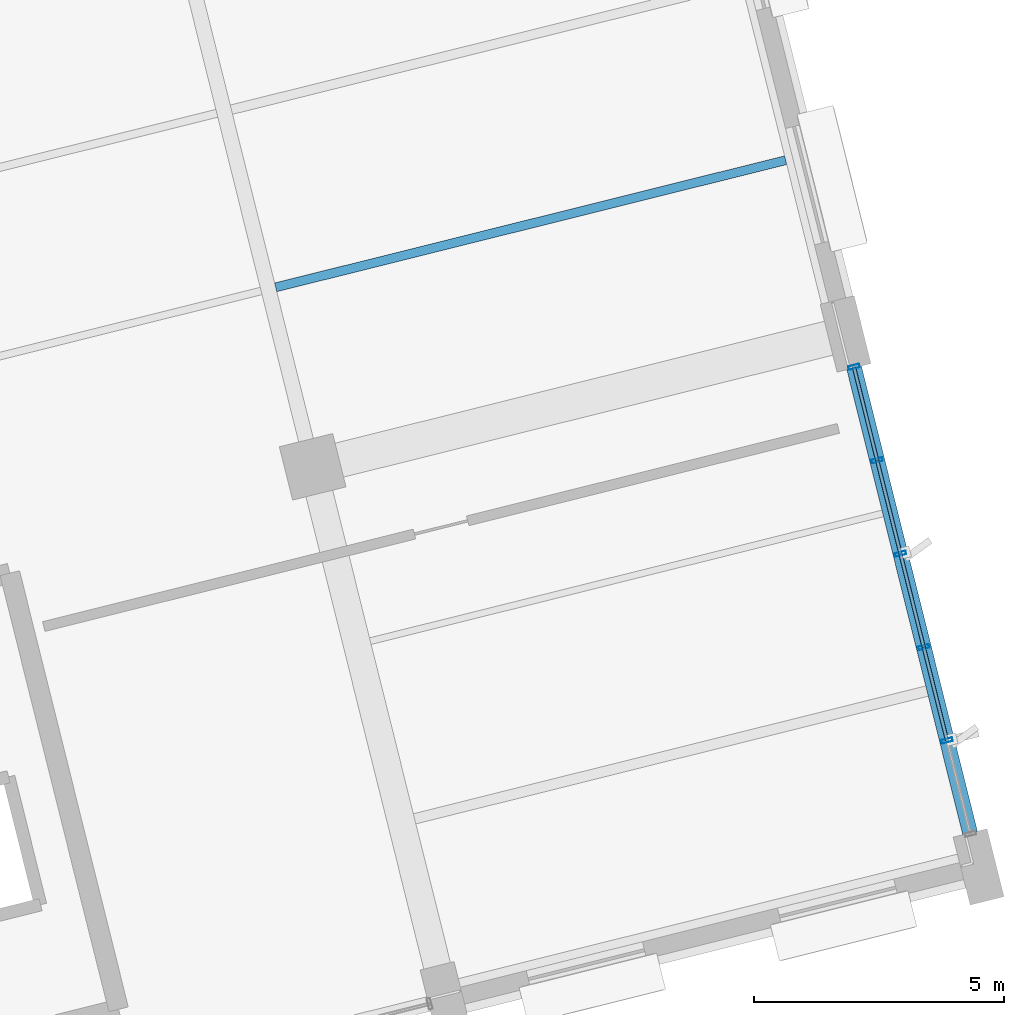
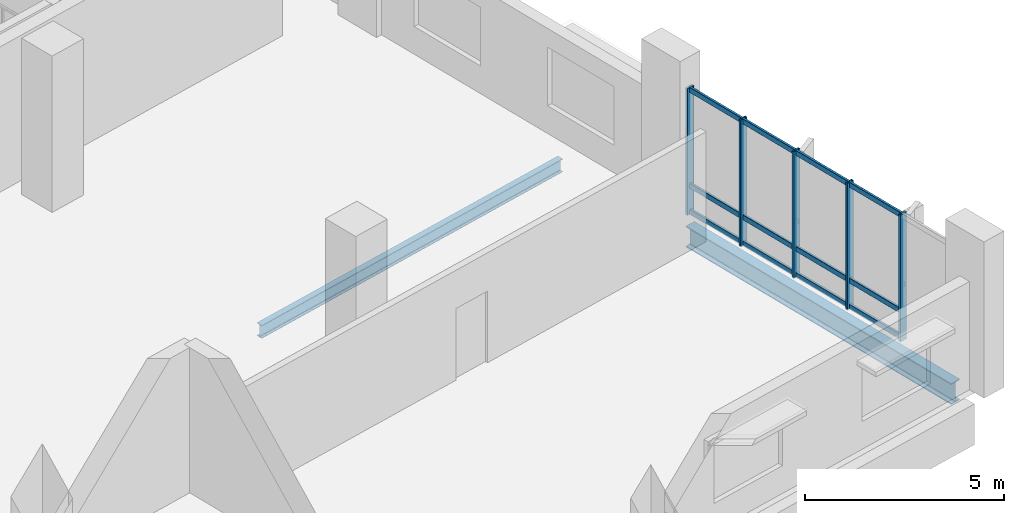
# One storey, part 79 of 137: 17 members, 2 beams, 1 element without a shape of its own.
"""IFC4 building model written with IfcOpenShell, lengths in metres."""

from ifc_helpers import new_model, si_unit, direction, frame, origin, origin_2d, place, context, subcontext, project, spatial, hollow_rectangle, i_section, extrude, material, layer, layer_set, material_profile, profile_set, type_object, element, aggregate, save


model = new_model("IFC4")

# Units and contexts
model_context = context("Model", 3, precision=1e-05, world=origin(), true_north=direction((0.0, 1.0)))
body_context = subcontext(model_context, "Body", "Model", "MODEL_VIEW")
ifc_project = project(units=[si_unit("LENGTHUNIT", "METRE"), si_unit("AREAUNIT", "SQUARE_METRE"), si_unit("VOLUMEUNIT", "CUBIC_METRE"), si_unit("PLANEANGLEUNIT", "RADIAN"), si_unit("MASSUNIT", "GRAM", prefix="KILO")], contexts=[model_context])

# Site, building, storey
site_placement = place(None, origin())
site = spatial("IfcSite", under=ifc_project, at=site_placement, CompositionType="ELEMENT")
building_placement = place(site_placement, origin())
building = spatial("IfcBuilding", under=site, at=building_placement, Name="Khorjan Park Terminus", CompositionType="ELEMENT")
storey_placement = place(building_placement, frame((0.0, 0.0, 11.4)))
storey = spatial("IfcBuildingStorey", under=building, at=storey_placement, Name="L02", CompositionType="ELEMENT", Elevation=11.4)

# Beams
ifc_material_1 = material(Name="Steel S355", Category="steel")
ifc_material_profile_1 = material_profile(ifc_material_1, i_section(OverallWidth=0.3, OverallDepth=0.64, WebThickness=0.0135, FlangeThickness=0.026, FilletRadius=0.027, at=origin_2d()), Name="HEA 650")
ifc_profile_set_1 = profile_set([ifc_material_profile_1], Name="Steel S355")
beam_type_1 = type_object("IfcBeamType", Name="BM-HEA650", PredefinedType="BEAM", material=ifc_profile_set_1)
beam_1_placement = place(storey_placement, frame((229.8714, 18.6412, -0.67), z_axis=(-0.241925915978, 0.970294723874, 0.0), x_axis=(-0.970294723874, -0.241925915978, 0.0)))
element("IfcBeam", 1, at=beam_1_placement, inside=storey, type_object=beam_type_1, Name="Primary skew-grid floor girder SB-A65 (L02)", PredefinedType="BEAM", context=body_context, shape_type="SweptSolid", body=[
    extrude(i_section(OverallWidth=0.3, OverallDepth=0.64, WebThickness=0.0135, FlangeThickness=0.026, FilletRadius=0.027, at=origin_2d()), origin(), (0.0, 0.0, 1.0), 9.61),
])
ifc_material_profile_2 = material_profile(ifc_material_1, i_section(OverallWidth=0.18, OverallDepth=0.4, WebThickness=0.0086, FlangeThickness=0.0135, FilletRadius=0.021, at=origin_2d()), Name="IPE 400")
ifc_profile_set_2 = profile_set([ifc_material_profile_2], Name="Steel S355")
beam_type_2 = type_object("IfcBeamType", Name="JS-IPE400", PredefinedType="JOIST", material=ifc_profile_set_2)
beam_2_placement = place(storey_placement, frame((215.9636, 29.573, -0.55), z_axis=(0.970294327804, 0.241927504493, 0.0), x_axis=(-0.241927504493, 0.970294327804, 0.0)))
element("IfcBeam", 2, at=beam_2_placement, inside=storey, type_object=beam_type_2, Name="Secondary composite floor joist SJ-40 (L02)", PredefinedType="JOIST", context=body_context, shape_type="SweptSolid", body=[
    extrude(i_section(OverallWidth=0.18, OverallDepth=0.4, WebThickness=0.0086, FlangeThickness=0.0135, FilletRadius=0.021, at=origin_2d()), origin(), (0.0, 0.0, 1.0), 10.5251),
])

# Curtain wall, members
ifc_material_2 = material(Name="Anodized Bronze Aluminium", Category="aluminium")
ifc_layer = layer(ifc_material_2, 0.22)
ifc_layer_set = layer_set([ifc_layer], Name="Anodized Bronze Aluminium")
curtain_wall_type = type_object("IfcCurtainWallType", Name="CW-OPS-B", PredefinedType="NOTDEFINED", material=ifc_layer_set)
curtain_wall_placement = place(storey_placement, origin())
curtain_wall = element("IfcCurtainWall", 3, at=curtain_wall_placement, inside=storey, type_object=curtain_wall_type, Name="Unitized curtain wall CW-B (CW-V5-E-L02-B01)", PredefinedType="NOTDEFINED")
ifc_material_profile_3 = material_profile(ifc_material_2, hollow_rectangle(XDim=0.075, YDim=0.225, WallThickness=0.005, InnerFilletRadius=0.005, OuterFilletRadius=0.01, at=origin_2d()), Name="ALM 75x225x5")
ifc_profile_set_3 = profile_set([ifc_material_profile_3], Name="Anodized Bronze Aluminium")
member_type_1 = type_object("IfcMemberType", Name="ML-ALM-225", PredefinedType="MULLION", material=ifc_profile_set_3)
member_1_placement = place(storey_placement, frame((229.4086, 20.4974, -0.035), z_axis=(0.0, 0.0, 1.0), x_axis=(-0.241920488516, 0.9702960771, 0.0)))
member_1 = element("IfcMember", 4, at=member_1_placement, type_object=member_type_1, Name="Curtain-wall mullion ML-22 (CW-V5-E-L02-B01-1)", PredefinedType="MULLION", context=body_context, shape_type="SweptSolid", body=[
    extrude(hollow_rectangle(XDim=0.075, YDim=0.225, WallThickness=0.005, InnerFilletRadius=0.005, OuterFilletRadius=0.01, at=origin_2d()), origin(), (0.0, 0.0, 1.0), 3.895),
])
member_2_placement = place(storey_placement, frame((228.9422, 22.3681, -0.035), z_axis=(0.0, 0.0, 1.0), x_axis=(-0.241920488516, 0.9702960771, 0.0)))
member_2 = element("IfcMember", 5, at=member_2_placement, type_object=member_type_1, Name="Curtain-wall mullion ML-22 (CW-V5-E-L02-B01-2)", PredefinedType="MULLION", context=body_context, shape_type="SweptSolid", body=[
    extrude(hollow_rectangle(XDim=0.075, YDim=0.225, WallThickness=0.005, InnerFilletRadius=0.005, OuterFilletRadius=0.01, at=origin_2d()), origin(), (0.0, 0.0, 1.0), 3.895),
])
member_3_placement = place(storey_placement, frame((228.4757, 24.2389, -0.035), z_axis=(0.0, 0.0, 1.0), x_axis=(-0.241920488516, 0.9702960771, 0.0)))
member_3 = element("IfcMember", 6, at=member_3_placement, type_object=member_type_1, Name="Curtain-wall mullion ML-22 (CW-V5-E-L02-B01-3)", PredefinedType="MULLION", context=body_context, shape_type="SweptSolid", body=[
    extrude(hollow_rectangle(XDim=0.075, YDim=0.225, WallThickness=0.005, InnerFilletRadius=0.005, OuterFilletRadius=0.01, at=origin_2d()), origin(), (0.0, 0.0, 1.0), 3.895),
])
member_4_placement = place(storey_placement, frame((228.0093, 26.1096, -0.035), z_axis=(0.0, 0.0, 1.0), x_axis=(-0.241920488516, 0.9702960771, 0.0)))
member_4 = element("IfcMember", 7, at=member_4_placement, type_object=member_type_1, Name="Curtain-wall mullion ML-22 (CW-V5-E-L02-B01-4)", PredefinedType="MULLION", context=body_context, shape_type="SweptSolid", body=[
    extrude(hollow_rectangle(XDim=0.075, YDim=0.225, WallThickness=0.005, InnerFilletRadius=0.005, OuterFilletRadius=0.01, at=origin_2d()), origin(), (0.0, 0.0, 1.0), 3.895),
])
member_5_placement = place(storey_placement, frame((227.5429, 27.9803, -0.035), z_axis=(0.0, 0.0, 1.0), x_axis=(-0.241920488516, 0.9702960771, 0.0)))
member_5 = element("IfcMember", 8, at=member_5_placement, type_object=member_type_1, Name="Curtain-wall mullion ML-22 (CW-V5-E-L02-B01-5)", PredefinedType="MULLION", context=body_context, shape_type="SweptSolid", body=[
    extrude(hollow_rectangle(XDim=0.075, YDim=0.225, WallThickness=0.005, InnerFilletRadius=0.005, OuterFilletRadius=0.01, at=origin_2d()), origin(), (0.0, 0.0, 1.0), 3.895),
])
ifc_material_profile_4 = material_profile(ifc_material_2, hollow_rectangle(XDim=0.07, YDim=0.16, WallThickness=0.004, InnerFilletRadius=0.004, OuterFilletRadius=0.008, at=origin_2d()), Name="ALT 70x160x4")
ifc_profile_set_4 = profile_set([ifc_material_profile_4], Name="Anodized Bronze Aluminium")
member_type_2 = type_object("IfcMemberType", Name="TR-ALT-160", PredefinedType="USERDEFINED", material=ifc_profile_set_4)
member_6_placement = place(storey_placement, frame((229.4086, 20.4974, 0.04), z_axis=(-0.241913157049, 0.970297905, 0.0), x_axis=(-0.970297905, -0.241913157049, 0.0)))
member_6 = element("IfcMember", 9, at=member_6_placement, type_object=member_type_2, Name="Curtain-wall transom TR-16 (CW-V5-E-L02-B01-1-1)", ObjectType="TRANSOM", PredefinedType="USERDEFINED", context=body_context, shape_type="SweptSolid", body=[
    extrude(hollow_rectangle(XDim=0.07, YDim=0.16, WallThickness=0.004, InnerFilletRadius=0.004, OuterFilletRadius=0.008, at=origin_2d()), origin(), (0.0, 0.0, 1.0), 1.928),
])
member_7_placement = place(storey_placement, frame((229.4086, 20.4974, 0.841), z_axis=(-0.241913157049, 0.970297905, 0.0), x_axis=(-0.970297905, -0.241913157049, 0.0)))
member_7 = element("IfcMember", 10, at=member_7_placement, type_object=member_type_2, Name="Curtain-wall transom TR-16 (CW-V5-E-L02-B01-1-2)", ObjectType="TRANSOM", PredefinedType="USERDEFINED", context=body_context, shape_type="SweptSolid", body=[
    extrude(hollow_rectangle(XDim=0.07, YDim=0.16, WallThickness=0.004, InnerFilletRadius=0.004, OuterFilletRadius=0.008, at=origin_2d()), origin(), (0.0, 0.0, 1.0), 1.928),
])
member_8_placement = place(storey_placement, frame((229.4086, 20.4974, 3.785), z_axis=(-0.241913157049, 0.970297905, 0.0), x_axis=(-0.970297905, -0.241913157049, 0.0)))
member_8 = element("IfcMember", 11, at=member_8_placement, type_object=member_type_2, Name="Curtain-wall transom TR-16 (CW-V5-E-L02-B01-1-3)", ObjectType="TRANSOM", PredefinedType="USERDEFINED", context=body_context, shape_type="SweptSolid", body=[
    extrude(hollow_rectangle(XDim=0.07, YDim=0.16, WallThickness=0.004, InnerFilletRadius=0.004, OuterFilletRadius=0.008, at=origin_2d()), origin(), (0.0, 0.0, 1.0), 1.928),
])
member_9_placement = place(storey_placement, frame((228.9422, 22.3681, 0.04), z_axis=(-0.241949812413, 0.970288765406, 0.0), x_axis=(-0.970288765406, -0.241949812413, 0.0)))
member_9 = element("IfcMember", 12, at=member_9_placement, type_object=member_type_2, Name="Curtain-wall transom TR-16 (CW-V5-E-L02-B01-2-1)", ObjectType="TRANSOM", PredefinedType="USERDEFINED", context=body_context, shape_type="SweptSolid", body=[
    extrude(hollow_rectangle(XDim=0.07, YDim=0.16, WallThickness=0.004, InnerFilletRadius=0.004, OuterFilletRadius=0.008, at=origin_2d()), origin(), (0.0, 0.0, 1.0), 1.9281),
])
member_10_placement = place(storey_placement, frame((228.9422, 22.3681, 0.841), z_axis=(-0.241949812413, 0.970288765406, 0.0), x_axis=(-0.970288765406, -0.241949812413, 0.0)))
member_10 = element("IfcMember", 13, at=member_10_placement, type_object=member_type_2, Name="Curtain-wall transom TR-16 (CW-V5-E-L02-B01-2-2)", ObjectType="TRANSOM", PredefinedType="USERDEFINED", context=body_context, shape_type="SweptSolid", body=[
    extrude(hollow_rectangle(XDim=0.07, YDim=0.16, WallThickness=0.004, InnerFilletRadius=0.004, OuterFilletRadius=0.008, at=origin_2d()), origin(), (0.0, 0.0, 1.0), 1.9281),
])
member_11_placement = place(storey_placement, frame((228.9422, 22.3681, 3.785), z_axis=(-0.241949812413, 0.970288765406, 0.0), x_axis=(-0.970288765406, -0.241949812413, 0.0)))
member_11 = element("IfcMember", 14, at=member_11_placement, type_object=member_type_2, Name="Curtain-wall transom TR-16 (CW-V5-E-L02-B01-2-3)", ObjectType="TRANSOM", PredefinedType="USERDEFINED", context=body_context, shape_type="SweptSolid", body=[
    extrude(hollow_rectangle(XDim=0.07, YDim=0.16, WallThickness=0.004, InnerFilletRadius=0.004, OuterFilletRadius=0.008, at=origin_2d()), origin(), (0.0, 0.0, 1.0), 1.9281),
])
member_12_placement = place(storey_placement, frame((228.4757, 24.2389, 0.04), z_axis=(-0.241913157049, 0.970297905, 0.0), x_axis=(-0.970297905, -0.241913157049, 0.0)))
member_12 = element("IfcMember", 15, at=member_12_placement, type_object=member_type_2, Name="Curtain-wall transom TR-16 (CW-V5-E-L02-B01-3-1)", ObjectType="TRANSOM", PredefinedType="USERDEFINED", context=body_context, shape_type="SweptSolid", body=[
    extrude(hollow_rectangle(XDim=0.07, YDim=0.16, WallThickness=0.004, InnerFilletRadius=0.004, OuterFilletRadius=0.008, at=origin_2d()), origin(), (0.0, 0.0, 1.0), 1.928),
])
member_13_placement = place(storey_placement, frame((228.4757, 24.2389, 0.841), z_axis=(-0.241913157049, 0.970297905, 0.0), x_axis=(-0.970297905, -0.241913157049, 0.0)))
member_13 = element("IfcMember", 16, at=member_13_placement, type_object=member_type_2, Name="Curtain-wall transom TR-16 (CW-V5-E-L02-B01-3-2)", ObjectType="TRANSOM", PredefinedType="USERDEFINED", context=body_context, shape_type="SweptSolid", body=[
    extrude(hollow_rectangle(XDim=0.07, YDim=0.16, WallThickness=0.004, InnerFilletRadius=0.004, OuterFilletRadius=0.008, at=origin_2d()), origin(), (0.0, 0.0, 1.0), 1.928),
])
member_14_placement = place(storey_placement, frame((228.4757, 24.2389, 3.785), z_axis=(-0.241913157049, 0.970297905, 0.0), x_axis=(-0.970297905, -0.241913157049, 0.0)))
member_14 = element("IfcMember", 17, at=member_14_placement, type_object=member_type_2, Name="Curtain-wall transom TR-16 (CW-V5-E-L02-B01-3-3)", ObjectType="TRANSOM", PredefinedType="USERDEFINED", context=body_context, shape_type="SweptSolid", body=[
    extrude(hollow_rectangle(XDim=0.07, YDim=0.16, WallThickness=0.004, InnerFilletRadius=0.004, OuterFilletRadius=0.008, at=origin_2d()), origin(), (0.0, 0.0, 1.0), 1.928),
])
member_15_placement = place(storey_placement, frame((228.0093, 26.1096, 0.04), z_axis=(-0.241913157049, 0.970297905, 0.0), x_axis=(-0.970297905, -0.241913157049, 0.0)))
member_15 = element("IfcMember", 18, at=member_15_placement, type_object=member_type_2, Name="Curtain-wall transom TR-16 (CW-V5-E-L02-B01-4-1)", ObjectType="TRANSOM", PredefinedType="USERDEFINED", context=body_context, shape_type="SweptSolid", body=[
    extrude(hollow_rectangle(XDim=0.07, YDim=0.16, WallThickness=0.004, InnerFilletRadius=0.004, OuterFilletRadius=0.008, at=origin_2d()), origin(), (0.0, 0.0, 1.0), 1.928),
])
member_16_placement = place(storey_placement, frame((228.0093, 26.1096, 0.841), z_axis=(-0.241913157049, 0.970297905, 0.0), x_axis=(-0.970297905, -0.241913157049, 0.0)))
member_16 = element("IfcMember", 19, at=member_16_placement, type_object=member_type_2, Name="Curtain-wall transom TR-16 (CW-V5-E-L02-B01-4-2)", ObjectType="TRANSOM", PredefinedType="USERDEFINED", context=body_context, shape_type="SweptSolid", body=[
    extrude(hollow_rectangle(XDim=0.07, YDim=0.16, WallThickness=0.004, InnerFilletRadius=0.004, OuterFilletRadius=0.008, at=origin_2d()), origin(), (0.0, 0.0, 1.0), 1.928),
])
member_17_placement = place(storey_placement, frame((228.0093, 26.1096, 3.785), z_axis=(-0.241913157049, 0.970297905, 0.0), x_axis=(-0.970297905, -0.241913157049, 0.0)))
member_17 = element("IfcMember", 20, at=member_17_placement, type_object=member_type_2, Name="Curtain-wall transom TR-16 (CW-V5-E-L02-B01-4-3)", ObjectType="TRANSOM", PredefinedType="USERDEFINED", context=body_context, shape_type="SweptSolid", body=[
    extrude(hollow_rectangle(XDim=0.07, YDim=0.16, WallThickness=0.004, InnerFilletRadius=0.004, OuterFilletRadius=0.008, at=origin_2d()), origin(), (0.0, 0.0, 1.0), 1.928),
])
aggregate(curtain_wall, [member_1, member_2, member_3, member_4, member_5, member_6, member_7, member_8, member_9, member_10, member_11, member_12, member_13, member_14, member_15, member_16, member_17])

save(model, "model.ifc")
